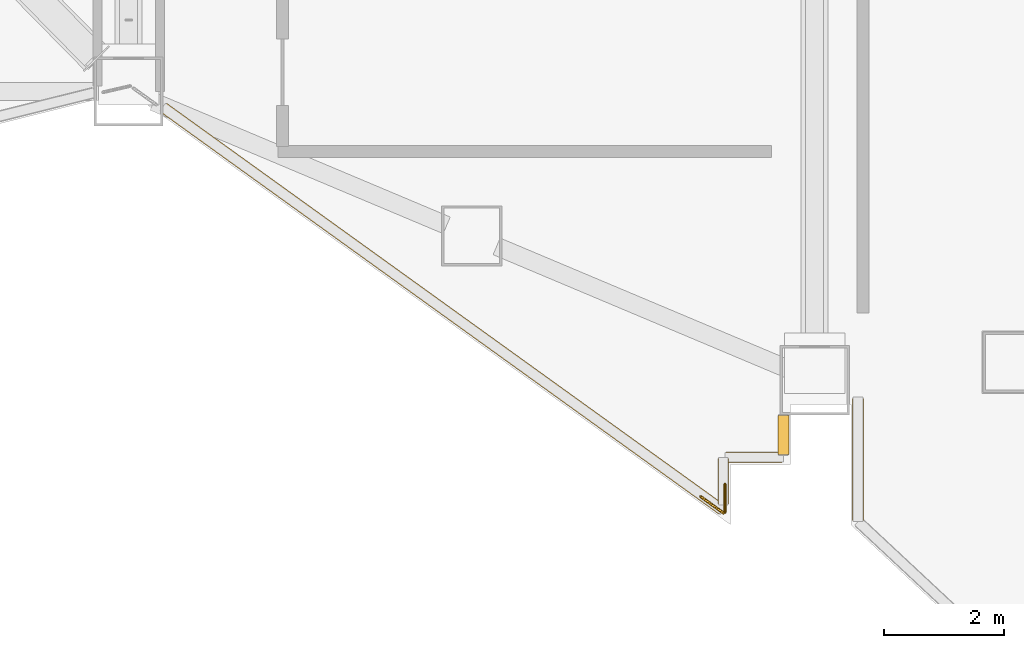
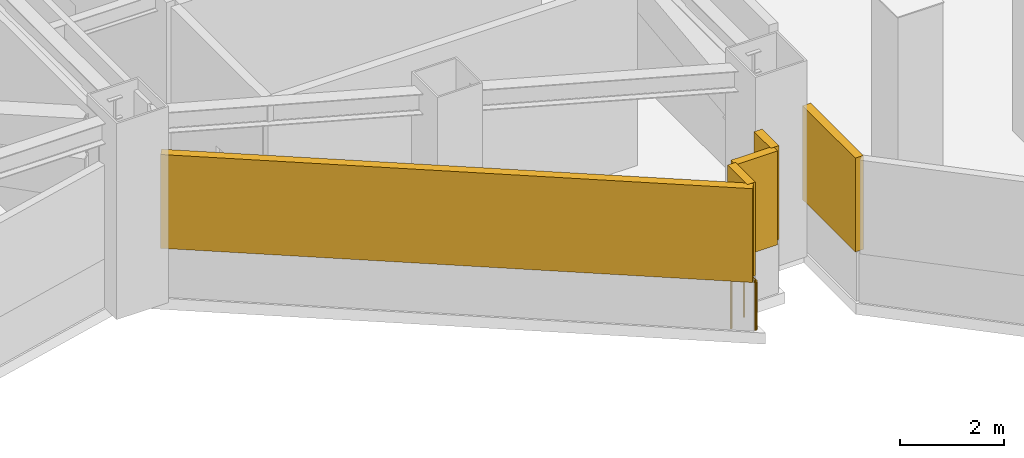
# One storey, part 19 of 23: 5 shading devices, 2 railings.
"""IFC4 building model written with IfcOpenShell, lengths in metres."""

import ifcopenshell
import ifcopenshell.guid

model = None  # the IFC model being written
_history = None  # IfcOwnerHistory: only IFC2X3 demands one
_inside = {}  # id of a spatial element -> (the spatial element, [elements in it])
_under = {}  # id of a project, library or spatial element -> (it, [spatial elements below it])
_declared = {}  # id of a project -> (the project, [libraries it declares])
_typed = {}  # id of a type object -> (the type object, [elements of that type])
_made_of = {}  # id of a material, layer set ... -> (it, [elements and type objects made of it])


def new_model(schema):
    """Start an empty IFC model of exactly this schema.

    Asked for "IFC4X3", IfcOpenShell would pick the latest addendum, in which some entities
    have other attributes; the version numbers below select the first issue.
    IFC2X3 requires an IfcOwnerHistory on every rooted entity: one is made here for all.
    """
    global model, _history
    if schema == "IFC4X3":
        model = ifcopenshell.file(schema_version=(4, 3, 0, 0))
    else:
        model = ifcopenshell.file(schema=schema)
    _inside.clear()
    _under.clear()
    _declared.clear()
    _typed.clear()
    _made_of.clear()
    _history = None
    if model.schema == "IFC2X3":
        org = make("IfcOrganization", Name="unknown")
        user = make(
            "IfcPersonAndOrganization",
            ThePerson=make("IfcPerson", FamilyName="unknown"),
            TheOrganization=org,
        )
        app = make(
            "IfcApplication",
            ApplicationDeveloper=org,
            Version="unknown",
            ApplicationFullName="unknown",
            ApplicationIdentifier="unknown",
        )
        _history = make(
            "IfcOwnerHistory",
            OwningUser=user,
            OwningApplication=app,
            ChangeAction="ADDED",
            CreationDate=0,
        )
    return model


def make(cls, **values):
    """One entity of the class cls with the attributes given. An attribute that is None is left unset."""
    return model.create_entity(
        cls, **{name: value for name, value in values.items() if value is not None}
    )


def rooted(cls, **values):
    """An entity with a GlobalId (a new one), such as an element, a storey or a relation."""
    return make(cls, GlobalId=ifcopenshell.guid.new(), OwnerHistory=_history, **values)


def si_unit(unit_type, name, prefix=None):
    """IfcSIUnit, for example si_unit("LENGTHUNIT", "METRE", prefix="MILLI")."""
    return make("IfcSIUnit", UnitType=unit_type, Prefix=prefix, Name=name)


def assignment(units):
    """IfcUnitAssignment: the units of a project."""
    return None if units is None else make("IfcUnitAssignment", Units=units)


def point(xyz):
    """IfcCartesianPoint."""
    return None if xyz is None else make("IfcCartesianPoint", Coordinates=xyz)


def direction(xyz):
    """IfcDirection."""
    return None if xyz is None else make("IfcDirection", DirectionRatios=xyz)


def frame(location, z_axis=None, x_axis=None):
    """IfcAxis2Placement3D, a coordinate frame: its origin and axes. An axis left out is left unset."""
    return make(
        "IfcAxis2Placement3D",
        Location=point(location),
        Axis=direction(z_axis),
        RefDirection=direction(x_axis),
    )


def frame_2d(location, x_axis=None):
    """IfcAxis2Placement2D, a coordinate frame in the plane: its origin and x axis."""
    return make(
        "IfcAxis2Placement2D", Location=point(location), RefDirection=direction(x_axis)
    )


def origin():
    """The frame at (0, 0, 0) with its axes left unset."""
    return frame((0.0, 0.0, 0.0))


def origin_2d():
    """The frame at (0, 0) in the plane with its x axis left unset."""
    return frame_2d((0.0, 0.0))


def place(relative_to, where):
    """IfcLocalPlacement: puts the frame where relative to a parent placement (None: the world)."""
    return make(
        "IfcLocalPlacement", PlacementRelTo=relative_to, RelativePlacement=where
    )


def context(
    kind, dimensions, precision=None, world=None, true_north=None, identifier=None
):
    """IfcGeometricRepresentationContext, for example the 3D "Model" context."""
    return make(
        "IfcGeometricRepresentationContext",
        ContextIdentifier=identifier,
        ContextType=kind,
        CoordinateSpaceDimension=dimensions,
        Precision=precision,
        WorldCoordinateSystem=world,
        TrueNorth=true_north,
    )


def subcontext(parent, identifier, kind, view, scale=None):
    """IfcGeometricRepresentationSubContext, for example "Body" below "Model"."""
    return make(
        "IfcGeometricRepresentationSubContext",
        ContextIdentifier=identifier,
        ContextType=kind,
        ParentContext=parent,
        TargetScale=scale,
        TargetView=view,
    )


def project(units=None, contexts=None):
    """IfcProject with its units and contexts."""
    return rooted(
        "IfcProject",
        Name="project",
        RepresentationContexts=contexts,
        UnitsInContext=assignment(units),
    )


def spatial(cls, under=None, at=None, **own):
    """A site, building, storey or space (cls), placed at a placement, below another one or the project."""
    s = rooted(cls, ObjectPlacement=at, **own)
    if under is not None:
        _under.setdefault(under.id(), (under, []))[1].append(s)
    return s


def profile(cls, at=None, kind="AREA", **sizes):
    """A parametric profile (cls). Its sizes go by their IFC names, for example OverallWidth=200.0."""
    return make(cls, ProfileType=kind, Position=at, **sizes)


def rectangle(**sizes):
    """IfcRectangleProfileDef."""
    return profile("IfcRectangleProfileDef", **sizes)


def circle(**sizes):
    """IfcCircleProfileDef."""
    return profile("IfcCircleProfileDef", **sizes)


def extrude(swept, where, along, depth):
    """IfcExtrudedAreaSolid: the profile swept, set in the frame where, extruded along a direction by depth."""
    return make(
        "IfcExtrudedAreaSolid",
        SweptArea=swept,
        Position=where,
        ExtrudedDirection=direction(along),
        Depth=depth,
    )


def shape(context_of_items, identifier, shape_type, items):
    """IfcShapeRepresentation: the items that make up one representation, for example the "Body"."""
    return make(
        "IfcShapeRepresentation",
        ContextOfItems=context_of_items,
        RepresentationIdentifier=identifier,
        RepresentationType=shape_type,
        Items=items,
    )


def material(Name=None, Category=None):
    """IfcMaterial."""
    return make("IfcMaterial", Name=Name, Category=Category)


def made_of(thing, what):
    """Note that an element or type object is made of a material, layer set ...; save() writes the relation."""
    if what is not None:
        _made_of.setdefault(what.id(), (what, []))[1].append(thing)
    return thing


def type_object(cls, material=None, **own):
    """A type object (cls), such as IfcWallType, which elements share."""
    return made_of(rooted(cls, **own), material)


def element(
    cls,
    number,
    at=None,
    inside=None,
    cuts=None,
    type_object=None,
    material=None,
    context=None,
    identifier="Body",
    shape_type=None,
    held_by="IfcProductDefinitionShape",
    body=None,
    shapes=None,
    **own,
):
    """One element of the class cls, such as IfcWall. Its Tag is "e" and its number.

    at: its placement. inside: the storey or other place that contains it. cuts: it is an
    opening in that element (IfcRelVoidsElement). A single representation is given by context,
    identifier, shape_type and body (its items); several are given by shapes. held_by: the class
    of the entity that holds the representations. save() writes the other relations.
    """
    e = rooted(cls, Tag="e%d" % number, ObjectPlacement=at, **own)
    if body is not None:
        shapes = [shape(context, identifier, shape_type, body)]
    if shapes is not None:
        e.Representation = make(held_by, Representations=shapes)
    if inside is not None:
        _inside.setdefault(inside.id(), (inside, []))[1].append(e)
    if cuts is not None:
        rooted(
            "IfcRelVoidsElement", RelatingBuildingElement=cuts, RelatedOpeningElement=e
        )
    if type_object is not None:
        _typed.setdefault(type_object.id(), (type_object, []))[1].append(e)
    return made_of(e, material)


def aggregate(whole, parts):
    """IfcRelAggregates: a whole, such as a stair, and the parts it consists of."""
    return rooted("IfcRelAggregates", RelatingObject=whole, RelatedObjects=parts)


def save(model, path):
    """Write the relations noted so far, then the file.

    IfcRelAggregates (storeys below a building ...), IfcRelContainedInSpatialStructure (elements
    in a storey), IfcRelDefinesByType, IfcRelAssociatesMaterial and IfcRelDeclares: one each for
    every whole, place, type object, material and project.
    """
    for whole, parts in _under.values():
        aggregate(whole, parts)
    for where, things in _inside.values():
        rooted(
            "IfcRelContainedInSpatialStructure",
            RelatedElements=things,
            RelatingStructure=where,
        )
    for kind, things in _typed.values():
        rooted("IfcRelDefinesByType", RelatedObjects=things, RelatingType=kind)
    for what, things in _made_of.values():
        rooted("IfcRelAssociatesMaterial", RelatedObjects=things, RelatingMaterial=what)
    for by, libraries in _declared.values():
        rooted("IfcRelDeclares", RelatingContext=by, RelatedDefinitions=libraries)
    model.write(path)


model = new_model("IFC4")

# Units and contexts
model_context = context("Model", 3, precision=1e-05, world=origin(), true_north=direction((0.0, 1.0)))
body_context = subcontext(model_context, "Body", "Model", "MODEL_VIEW")
ifc_project = project(units=[si_unit("LENGTHUNIT", "METRE"), si_unit("AREAUNIT", "SQUARE_METRE"), si_unit("VOLUMEUNIT", "CUBIC_METRE"), si_unit("PLANEANGLEUNIT", "RADIAN"), si_unit("MASSUNIT", "GRAM", prefix="KILO")], contexts=[model_context])

# Site, building, storey
site_placement = place(None, origin())
site = spatial("IfcSite", under=ifc_project, at=site_placement, CompositionType="ELEMENT")
building_placement = place(site_placement, origin())
building = spatial("IfcBuilding", under=site, at=building_placement, Name="Haolan Belvedere Tower", CompositionType="ELEMENT")
storey_placement = place(building_placement, frame((0.0, 0.0, 89.39990234375)))
storey = spatial("IfcBuildingStorey", under=building, at=storey_placement, Name="L22", CompositionType="ELEMENT", Elevation=89.39990234375)

# Railings
ifc_material_1 = material(Name="Galvanised powder-coated steel guardrail", Category="steel")
railing_type = type_object("IfcRailingType", Name="RL-REF-GRD-1150", PredefinedType="GUARDRAIL", material=ifc_material_1)
railing_1_placement = place(storey_placement, frame((62.7099609375, 15.07568359375, 0.0)))
element("IfcRailing", 1, at=railing_1_placement, inside=storey, type_object=railing_type, Name="L22 refuge corner safety guardrail 5A", PredefinedType="GUARDRAIL", context=body_context, shape_type="SweptSolid", body=[
    extrude(circle(Radius=0.02392578125, at=origin_2d()), frame((0.0, 0.0, 1.1259765625), z_axis=(0.0, -1.0, 0.0), x_axis=(1.0, 0.0, 0.0)), (0.0, 0.0, 1.0), 0.469970703125),
    extrude(circle(Radius=0.02099609375, at=origin_2d()), origin(), (0.0, 0.0, 1.0), 1.101806640625),
    extrude(circle(Radius=0.02099609375, at=origin_2d()), frame((0.0, -0.469970703125, 0.0)), (0.0, 0.0, 1.0), 1.101806640625),
])
railing_2_placement = place(storey_placement, frame((62.685791015625, 14.59326171875, 0.0)))
element("IfcRailing", 2, at=railing_2_placement, inside=storey, type_object=railing_type, Name="L22 refuge corner safety guardrail 5B", PredefinedType="GUARDRAIL", context=body_context, shape_type="SweptSolid", body=[
    extrude(circle(Radius=0.02392578125, at=origin_2d()), frame((0.0, 0.0, 1.1259765625), z_axis=(-0.811622975054, 0.584181603925, 0.0), x_axis=(-0.584181603925, -0.811622975054, 0.0)), (0.0, 0.0, 1.0), 0.47021484375),
    extrude(circle(Radius=0.02099609375, at=origin_2d()), origin(), (0.0, 0.0, 1.0), 1.101806640625),
    extrude(circle(Radius=0.02099609375, at=origin_2d()), frame((-0.381591796875, 0.274658203125, 0.0)), (0.0, 0.0, 1.0), 1.101806640625),
])

# Shading devices
ifc_material_2 = material(Name="Anodised champagne-silver aluminium 6063-T6", Category="aluminium")
shading_device_type = type_object("IfcShadingDeviceType", Name="SHD-LOUV-180", PredefinedType="JALOUSIE", material=ifc_material_2)
shading_device_1_placement = place(storey_placement, frame((58.0234375, 17.987060546875, 1.14990234375), z_axis=(0.0, 0.0, 1.0), x_axis=(0.811533191666, -0.584306322766, 0.0)))
element("IfcShadingDevice", 3, at=shading_device_1_placement, inside=storey, type_object=shading_device_type, Name="L22 refuge storm-proof louvre bank 15.1", PredefinedType="JALOUSIE", context=body_context, shape_type="SweptSolid", body=[
    extrude(rectangle(XDim=11.435791015625, YDim=0.179931640625, at=origin_2d()), origin(), (0.0, 0.0, 1.0), 2.199951171875),
])
shading_device_2_placement = place(storey_placement, frame((62.679931640625, 15.1220703125, 1.14990234375), z_axis=(0.0, 0.0, 1.0), x_axis=(0.0, 1.0, 0.0)))
element("IfcShadingDevice", 4, at=shading_device_2_placement, inside=storey, type_object=shading_device_type, Name="L22 refuge storm-proof louvre bank 16.1", PredefinedType="JALOUSIE", context=body_context, shape_type="SweptSolid", body=[
    extrude(rectangle(XDim=0.755615234375, YDim=0.179931640625, at=origin_2d()), origin(), (0.0, 0.0, 1.0), 2.199951171875),
])
shading_device_3_placement = place(storey_placement, frame((63.195068359375, 15.52001953125, 1.14990234375), z_axis=(0.0, 0.0, 1.0), x_axis=(1.0, 0.0, 0.0)))
element("IfcShadingDevice", 5, at=shading_device_3_placement, inside=storey, type_object=shading_device_type, Name="L22 refuge storm-proof louvre bank 17.1", PredefinedType="JALOUSIE", context=body_context, shape_type="SweptSolid", body=[
    extrude(rectangle(XDim=0.929931640625, YDim=0.179931640625, at=origin_2d()), origin(), (0.0, 0.0, 1.0), 2.199951171875),
])
shading_device_4_placement = place(storey_placement, frame((63.679931640625, 15.8916015625, 1.14990234375), z_axis=(0.0, 0.0, 1.0), x_axis=(0.0, 1.0, 0.0)))
element("IfcShadingDevice", 6, at=shading_device_4_placement, inside=storey, type_object=shading_device_type, Name="L22 refuge storm-proof louvre bank 18.1", PredefinedType="JALOUSIE", context=body_context, shape_type="SweptSolid", body=[
    extrude(rectangle(XDim=0.64306640625, YDim=0.179931640625, at=origin_2d()), origin(), (0.0, 0.0, 1.0), 2.199951171875),
])
shading_device_5_placement = place(storey_placement, frame((64.919921875, 15.486083984375, 1.14990234375), z_axis=(0.0, 0.0, 1.0), x_axis=(0.0, -1.0, 0.0)))
element("IfcShadingDevice", 7, at=shading_device_5_placement, inside=storey, type_object=shading_device_type, Name="L22 refuge storm-proof louvre bank 20.1", PredefinedType="JALOUSIE", context=body_context, shape_type="SweptSolid", body=[
    extrude(rectangle(XDim=2.02783203125, YDim=0.179931640625, at=origin_2d()), origin(), (0.0, 0.0, 1.0), 2.199951171875),
])

save(model, "model.ifc")
